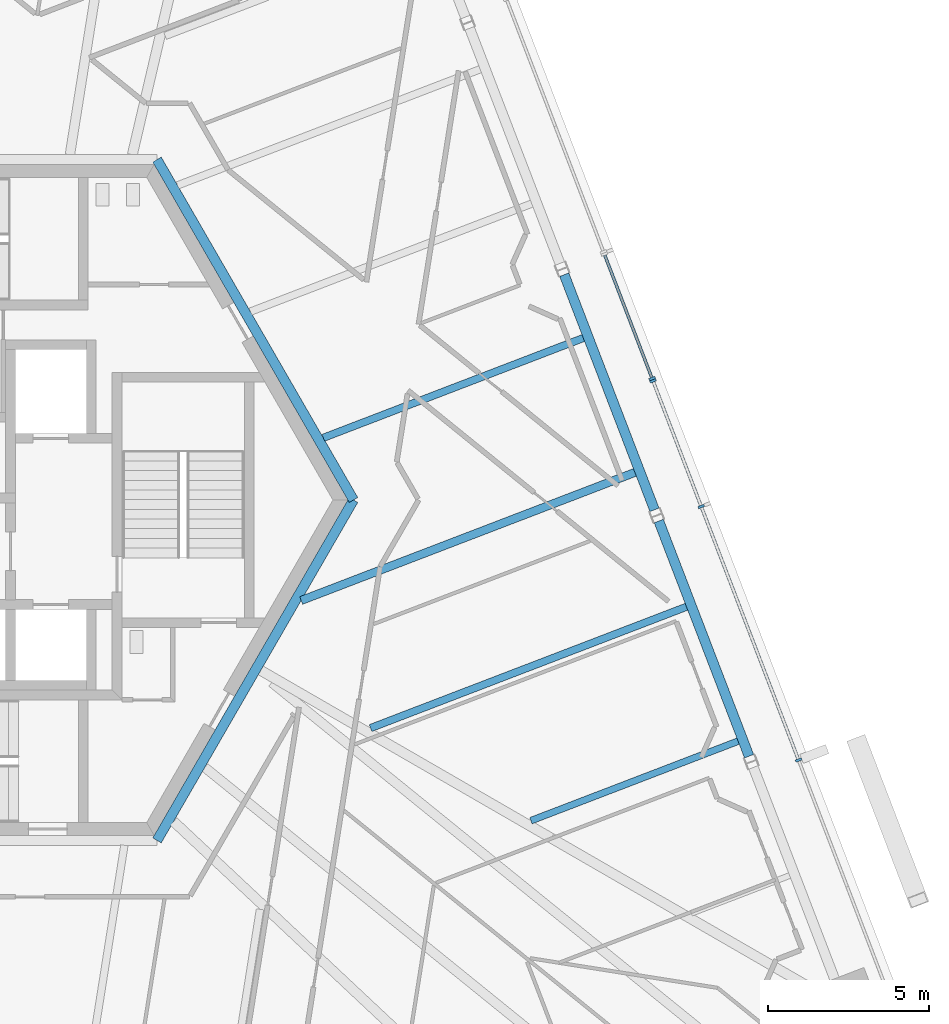
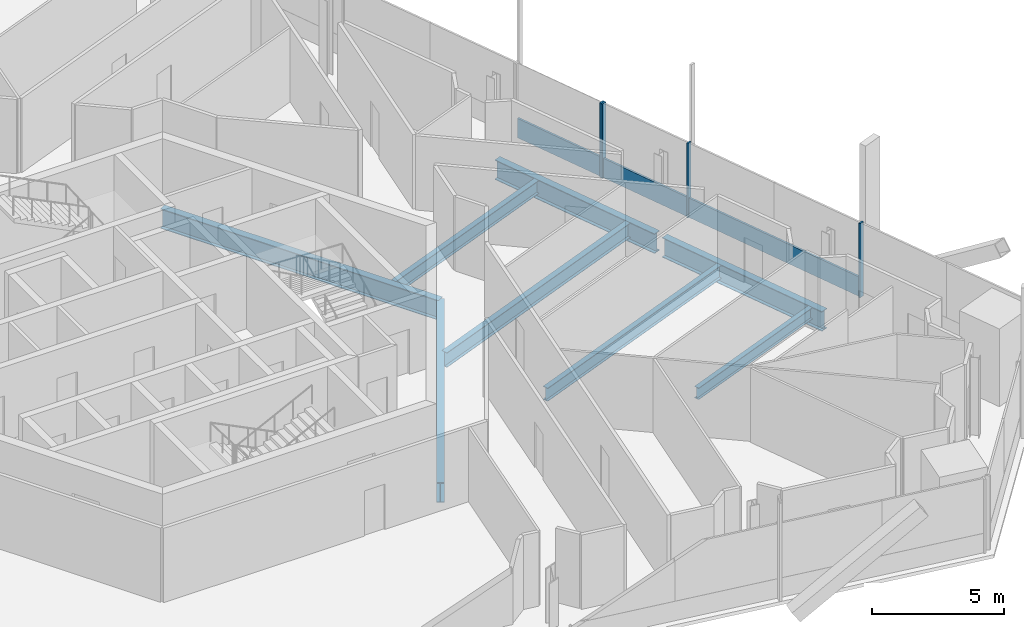
# One storey, part 7 of 23: 8 beams, 7 members, 2 elements without a shape of their own.
"""IFC4 building model written with IfcOpenShell, lengths in metres."""

import ifcopenshell
import ifcopenshell.guid

model = None  # the IFC model being written
_history = None  # IfcOwnerHistory: only IFC2X3 demands one
_inside = {}  # id of a spatial element -> (the spatial element, [elements in it])
_under = {}  # id of a project, library or spatial element -> (it, [spatial elements below it])
_declared = {}  # id of a project -> (the project, [libraries it declares])
_typed = {}  # id of a type object -> (the type object, [elements of that type])
_made_of = {}  # id of a material, layer set ... -> (it, [elements and type objects made of it])


def new_model(schema):
    """Start an empty IFC model of exactly this schema.

    Asked for "IFC4X3", IfcOpenShell would pick the latest addendum, in which some entities
    have other attributes; the version numbers below select the first issue.
    IFC2X3 requires an IfcOwnerHistory on every rooted entity: one is made here for all.
    """
    global model, _history
    if schema == "IFC4X3":
        model = ifcopenshell.file(schema_version=(4, 3, 0, 0))
    else:
        model = ifcopenshell.file(schema=schema)
    _inside.clear()
    _under.clear()
    _declared.clear()
    _typed.clear()
    _made_of.clear()
    _history = None
    if model.schema == "IFC2X3":
        org = make("IfcOrganization", Name="unknown")
        user = make(
            "IfcPersonAndOrganization",
            ThePerson=make("IfcPerson", FamilyName="unknown"),
            TheOrganization=org,
        )
        app = make(
            "IfcApplication",
            ApplicationDeveloper=org,
            Version="unknown",
            ApplicationFullName="unknown",
            ApplicationIdentifier="unknown",
        )
        _history = make(
            "IfcOwnerHistory",
            OwningUser=user,
            OwningApplication=app,
            ChangeAction="ADDED",
            CreationDate=0,
        )
    return model


def make(cls, **values):
    """One entity of the class cls with the attributes given. An attribute that is None is left unset."""
    return model.create_entity(
        cls, **{name: value for name, value in values.items() if value is not None}
    )


def rooted(cls, **values):
    """An entity with a GlobalId (a new one), such as an element, a storey or a relation."""
    return make(cls, GlobalId=ifcopenshell.guid.new(), OwnerHistory=_history, **values)


def si_unit(unit_type, name, prefix=None):
    """IfcSIUnit, for example si_unit("LENGTHUNIT", "METRE", prefix="MILLI")."""
    return make("IfcSIUnit", UnitType=unit_type, Prefix=prefix, Name=name)


def assignment(units):
    """IfcUnitAssignment: the units of a project."""
    return None if units is None else make("IfcUnitAssignment", Units=units)


def point(xyz):
    """IfcCartesianPoint."""
    return None if xyz is None else make("IfcCartesianPoint", Coordinates=xyz)


def direction(xyz):
    """IfcDirection."""
    return None if xyz is None else make("IfcDirection", DirectionRatios=xyz)


def frame(location, z_axis=None, x_axis=None):
    """IfcAxis2Placement3D, a coordinate frame: its origin and axes. An axis left out is left unset."""
    return make(
        "IfcAxis2Placement3D",
        Location=point(location),
        Axis=direction(z_axis),
        RefDirection=direction(x_axis),
    )


def frame_2d(location, x_axis=None):
    """IfcAxis2Placement2D, a coordinate frame in the plane: its origin and x axis."""
    return make(
        "IfcAxis2Placement2D", Location=point(location), RefDirection=direction(x_axis)
    )


def origin():
    """The frame at (0, 0, 0) with its axes left unset."""
    return frame((0.0, 0.0, 0.0))


def origin_2d():
    """The frame at (0, 0) in the plane with its x axis left unset."""
    return frame_2d((0.0, 0.0))


def place(relative_to, where):
    """IfcLocalPlacement: puts the frame where relative to a parent placement (None: the world)."""
    return make(
        "IfcLocalPlacement", PlacementRelTo=relative_to, RelativePlacement=where
    )


def context(
    kind, dimensions, precision=None, world=None, true_north=None, identifier=None
):
    """IfcGeometricRepresentationContext, for example the 3D "Model" context."""
    return make(
        "IfcGeometricRepresentationContext",
        ContextIdentifier=identifier,
        ContextType=kind,
        CoordinateSpaceDimension=dimensions,
        Precision=precision,
        WorldCoordinateSystem=world,
        TrueNorth=true_north,
    )


def subcontext(parent, identifier, kind, view, scale=None):
    """IfcGeometricRepresentationSubContext, for example "Body" below "Model"."""
    return make(
        "IfcGeometricRepresentationSubContext",
        ContextIdentifier=identifier,
        ContextType=kind,
        ParentContext=parent,
        TargetScale=scale,
        TargetView=view,
    )


def project(units=None, contexts=None):
    """IfcProject with its units and contexts."""
    return rooted(
        "IfcProject",
        Name="project",
        RepresentationContexts=contexts,
        UnitsInContext=assignment(units),
    )


def spatial(cls, under=None, at=None, **own):
    """A site, building, storey or space (cls), placed at a placement, below another one or the project."""
    s = rooted(cls, ObjectPlacement=at, **own)
    if under is not None:
        _under.setdefault(under.id(), (under, []))[1].append(s)
    return s


def profile(cls, at=None, kind="AREA", **sizes):
    """A parametric profile (cls). Its sizes go by their IFC names, for example OverallWidth=200.0."""
    return make(cls, ProfileType=kind, Position=at, **sizes)


def rectangle(**sizes):
    """IfcRectangleProfileDef."""
    return profile("IfcRectangleProfileDef", **sizes)


def i_section(**sizes):
    """IfcIShapeProfileDef."""
    return profile("IfcIShapeProfileDef", **sizes)


def extrude(swept, where, along, depth):
    """IfcExtrudedAreaSolid: the profile swept, set in the frame where, extruded along a direction by depth."""
    return make(
        "IfcExtrudedAreaSolid",
        SweptArea=swept,
        Position=where,
        ExtrudedDirection=direction(along),
        Depth=depth,
    )


def shape(context_of_items, identifier, shape_type, items):
    """IfcShapeRepresentation: the items that make up one representation, for example the "Body"."""
    return make(
        "IfcShapeRepresentation",
        ContextOfItems=context_of_items,
        RepresentationIdentifier=identifier,
        RepresentationType=shape_type,
        Items=items,
    )


def source(mapping_origin, context_of_items, identifier, shape_type, items):
    """IfcRepresentationMap: a shape defined once, which mapped items show again and again."""
    return make(
        "IfcRepresentationMap",
        MappingOrigin=mapping_origin,
        MappedRepresentation=shape(context_of_items, identifier, shape_type, items),
    )


def transform(
    local_origin,
    x_axis=None,
    y_axis=None,
    z_axis=None,
    scale=None,
    scale2=None,
    scale3=None,
    uniform=True,
):
    """IfcCartesianTransformationOperator3D, or its non-uniform kind. x_axis, y_axis, z_axis: its Axis1, 2, 3."""
    if uniform:
        return make(
            "IfcCartesianTransformationOperator3D",
            Axis1=direction(x_axis),
            Axis2=direction(y_axis),
            LocalOrigin=point(local_origin),
            Scale=scale,
            Axis3=direction(z_axis),
        )
    return make(
        "IfcCartesianTransformationOperator3DnonUniform",
        Axis1=direction(x_axis),
        Axis2=direction(y_axis),
        LocalOrigin=point(local_origin),
        Scale=scale,
        Axis3=direction(z_axis),
        Scale2=scale2,
        Scale3=scale3,
    )


def mapped(mapping_source, mapping_target):
    """IfcMappedItem: shows the shape of a source again, moved by a transform."""
    return make(
        "IfcMappedItem", MappingSource=mapping_source, MappingTarget=mapping_target
    )


def material(Name=None, Category=None):
    """IfcMaterial."""
    return make("IfcMaterial", Name=Name, Category=Category)


def material_profile(
    of_material, cross_section, Name=None, Category=None, Priority=None
):
    """IfcMaterialProfile: a cross section and its material."""
    return make(
        "IfcMaterialProfile",
        Name=Name,
        Material=of_material,
        Profile=cross_section,
        Priority=Priority,
        Category=Category,
    )


def profile_set(profiles, Name=None, composite=None):
    """IfcMaterialProfileSet."""
    return make(
        "IfcMaterialProfileSet",
        Name=Name,
        MaterialProfiles=profiles,
        CompositeProfile=composite,
    )


def made_of(thing, what):
    """Note that an element or type object is made of a material, layer set ...; save() writes the relation."""
    if what is not None:
        _made_of.setdefault(what.id(), (what, []))[1].append(thing)
    return thing


def type_object(cls, material=None, **own):
    """A type object (cls), such as IfcWallType, which elements share."""
    return made_of(rooted(cls, **own), material)


def element(
    cls,
    number,
    at=None,
    inside=None,
    cuts=None,
    type_object=None,
    material=None,
    context=None,
    identifier="Body",
    shape_type=None,
    held_by="IfcProductDefinitionShape",
    body=None,
    shapes=None,
    **own,
):
    """One element of the class cls, such as IfcWall. Its Tag is "e" and its number.

    at: its placement. inside: the storey or other place that contains it. cuts: it is an
    opening in that element (IfcRelVoidsElement). A single representation is given by context,
    identifier, shape_type and body (its items); several are given by shapes. held_by: the class
    of the entity that holds the representations. save() writes the other relations.
    """
    e = rooted(cls, Tag="e%d" % number, ObjectPlacement=at, **own)
    if body is not None:
        shapes = [shape(context, identifier, shape_type, body)]
    if shapes is not None:
        e.Representation = make(held_by, Representations=shapes)
    if inside is not None:
        _inside.setdefault(inside.id(), (inside, []))[1].append(e)
    if cuts is not None:
        rooted(
            "IfcRelVoidsElement", RelatingBuildingElement=cuts, RelatedOpeningElement=e
        )
    if type_object is not None:
        _typed.setdefault(type_object.id(), (type_object, []))[1].append(e)
    return made_of(e, material)


def aggregate(whole, parts):
    """IfcRelAggregates: a whole, such as a stair, and the parts it consists of."""
    return rooted("IfcRelAggregates", RelatingObject=whole, RelatedObjects=parts)


def save(model, path):
    """Write the relations noted so far, then the file.

    IfcRelAggregates (storeys below a building ...), IfcRelContainedInSpatialStructure (elements
    in a storey), IfcRelDefinesByType, IfcRelAssociatesMaterial and IfcRelDeclares: one each for
    every whole, place, type object, material and project.
    """
    for whole, parts in _under.values():
        aggregate(whole, parts)
    for where, things in _inside.values():
        rooted(
            "IfcRelContainedInSpatialStructure",
            RelatedElements=things,
            RelatingStructure=where,
        )
    for kind, things in _typed.values():
        rooted("IfcRelDefinesByType", RelatedObjects=things, RelatingType=kind)
    for what, things in _made_of.values():
        rooted("IfcRelAssociatesMaterial", RelatedObjects=things, RelatingMaterial=what)
    for by, libraries in _declared.values():
        rooted("IfcRelDeclares", RelatingContext=by, RelatedDefinitions=libraries)
    model.write(path)


model = new_model("IFC4")

# Units and contexts
model_context = context("Model", 3, precision=1e-05, world=origin(), true_north=direction((0.0, 1.0)))
body_context = subcontext(model_context, "Body", "Model", "MODEL_VIEW")
ifc_project = project(units=[si_unit("LENGTHUNIT", "METRE"), si_unit("AREAUNIT", "SQUARE_METRE"), si_unit("VOLUMEUNIT", "CUBIC_METRE"), si_unit("PLANEANGLEUNIT", "RADIAN"), si_unit("MASSUNIT", "GRAM", prefix="KILO")], contexts=[model_context])

# Site, building, storey
site_placement = place(None, origin())
site = spatial("IfcSite", under=ifc_project, at=site_placement, CompositionType="ELEMENT")
building_placement = place(site_placement, origin())
building = spatial("IfcBuilding", under=site, at=building_placement, Name="Triune Harvest Tower", CompositionType="ELEMENT")
storey_placement = place(building_placement, frame((0.0, 0.0, 167.699951171875)))
storey = spatial("IfcBuildingStorey", under=building, at=storey_placement, Name="L43", CompositionType="ELEMENT", Elevation=167.699951171875)

# Beams
ifc_material_1 = material(Name="Steel ASTM A992 Gr 50", Category="steel")
ifc_material_profile_1 = material_profile(ifc_material_1, i_section(OverallWidth=0.3046875, OverallDepth=0.914306640625, WebThickness=0.0166015625, FlangeThickness=0.02587890625, at=origin_2d()), Name="W36x160")
ifc_profile_set_1 = profile_set([ifc_material_profile_1], Name="Steel ASTM A992 Gr 50")
beam_type_1 = type_object("IfcBeamType", Name="CG-1 Core ring girder W36x160", PredefinedType="BEAM", material=ifc_profile_set_1)
shared_shape_1 = source(origin(), body_context, "Body", "SweptSolid", [
    extrude(i_section(OverallWidth=0.3046875, OverallDepth=0.914306640625, WebThickness=0.0166015625, FlangeThickness=0.02587890625, at=origin_2d()), origin(), (0.0, 0.0, 1.0), 12.176025390625),
])
for number, where, z_axis, x_axis, name in (
    (1, (12.176025390625, 0.0, -0.6171875), (-0.5000099932, 0.866019634131, 0.0), (-0.866019634131, -0.5000099932, 0.0), "beam/L43/CG1"),
    (2, (6.087890625, -10.544677734375, -0.6171875), (0.5000099932, 0.866019634131, 0.0), (-0.866019634131, 0.5000099932, 0.0), "beam/L43/CG6"),
):
    element("IfcBeam", number, at=place(storey_placement, frame(where, z_axis=z_axis, x_axis=x_axis)), inside=storey, type_object=beam_type_1, Name=name, PredefinedType="BEAM", context=body_context, shape_type="MappedRepresentation", body=[
        mapped(shared_shape_1, transform((0.0, 0.0, 0.0), scale=1.0)),
    ])
ifc_material_2 = material(Name="Steel ASTM A992 Gr 50", Category="steel")
ifc_material_profile_2 = material_profile(ifc_material_2, i_section(OverallWidth=0.3046875, OverallDepth=0.914306640625, WebThickness=0.0166015625, FlangeThickness=0.02587890625, at=origin_2d()), Name="W36x160")
ifc_profile_set_2 = profile_set([ifc_material_profile_2], Name="Steel ASTM A992 Gr 50")
beam_type_2 = type_object("IfcBeamType", Name="SB-1 Spandrel beam W36x160", PredefinedType="SPANDREL", material=ifc_profile_set_2)
shared_shape_2 = source(origin(), body_context, "Body", "SweptSolid", [
    extrude(i_section(OverallWidth=0.3046875, OverallDepth=0.914306640625, WebThickness=0.0166015625, FlangeThickness=0.02587890625, at=origin_2d()), origin(), (0.0, 0.0, 1.0), 7.8017578125),
])
for number, where, z_axis, x_axis, name in (
    (3, (24.428466796875, -7.93603515625, -0.6171875), (-0.358372974677, 0.933578497514, 0.0), (-0.933578497514, -0.358372974677, 0.0), "beam/L43/SB2"),
    (4, (21.498779296875, -0.303955078125, -0.6171875), (-0.358372974677, 0.933578497514, 0.0), (-0.933578497514, -0.358372974677, 0.0), "beam/L43/SB3"),
):
    element("IfcBeam", number, at=place(storey_placement, frame(where, z_axis=z_axis, x_axis=x_axis)), inside=storey, type_object=beam_type_2, Name=name, PredefinedType="SPANDREL", context=body_context, shape_type="MappedRepresentation", body=[
        mapped(shared_shape_2, transform((0.0, 0.0, 0.0), scale=1.0)),
    ])
ifc_material_3 = material(Name="Steel ASTM A992 Gr 50", Category="steel")
ifc_material_profile_3 = material_profile(ifc_material_3, i_section(OverallWidth=0.2099609375, OverallDepth=0.535888671875, WebThickness=0.010986328125, FlangeThickness=0.017333984375, at=origin_2d()), Name="W21x68")
ifc_profile_set_3 = profile_set([ifc_material_profile_3], Name="Steel ASTM A992 Gr 50")
beam_type_3 = type_object("IfcBeamType", Name="JT-2 Floor joist W21x68", PredefinedType="JOIST", material=ifc_profile_set_3)
shared_shape_3 = source(origin(), body_context, "Body", "SweptSolid", [
    extrude(i_section(OverallWidth=0.2099609375, OverallDepth=0.535888671875, WebThickness=0.010986328125, FlangeThickness=0.017333984375, at=origin_2d()), origin(), (0.0, 0.0, 1.0), 6.871826171875),
])
beam_1_placement = place(storey_placement, frame((24.086669921875, -7.47119140625, -0.427978515625), z_axis=(-0.933577992689, -0.358374289769, 0.0), x_axis=(0.358374289769, -0.933577992689, 0.0)))
element("IfcBeam", 5, at=beam_1_placement, inside=storey, type_object=beam_type_3, Name="beam/L43/JT2", PredefinedType="JOIST", context=body_context, shape_type="MappedRepresentation", body=[
    mapped(shared_shape_3, transform((0.0, 0.0, 0.0), scale=1.0)),
])
ifc_material_4 = material(Name="Steel ASTM A992 Gr 50", Category="steel")
ifc_material_profile_4 = material_profile(ifc_material_4, i_section(OverallWidth=0.22900390625, OverallDepth=0.612060546875, WebThickness=0.011962890625, FlangeThickness=0.01953125, at=origin_2d()), Name="W24x84")
ifc_profile_set_4 = profile_set([ifc_material_profile_4], Name="Steel ASTM A992 Gr 50")
beam_type_4 = type_object("IfcBeamType", Name="JT-3 Floor joist W24x84", PredefinedType="JOIST", material=ifc_profile_set_4)
shared_shape_4 = source(origin(), body_context, "Body", "SweptSolid", [
    extrude(i_section(OverallWidth=0.22900390625, OverallDepth=0.612060546875, WebThickness=0.011962890625, FlangeThickness=0.01953125, at=origin_2d()), origin(), (0.0, 0.0, 1.0), 10.482666015625),
])
beam_2_placement = place(storey_placement, frame((22.48876953125, -3.30810546875, -0.466064453125), z_axis=(-0.933574113636, -0.358384394677, 0.0), x_axis=(0.358384394677, -0.933574113636, 0.0)))
element("IfcBeam", 6, at=beam_2_placement, inside=storey, type_object=beam_type_4, Name="beam/L43/JT3", PredefinedType="JOIST", context=body_context, shape_type="MappedRepresentation", body=[
    mapped(shared_shape_4, transform((0.0, 0.0, 0.0), scale=1.0)),
])
ifc_material_5 = material(Name="Steel ASTM A992 Gr 50", Category="steel")
ifc_material_profile_5 = material_profile(ifc_material_5, i_section(OverallWidth=0.253662109375, OverallDepth=0.683349609375, WebThickness=0.012451171875, FlangeThickness=0.01904296875, at=origin_2d()), Name="W27x94")
ifc_profile_set_5 = profile_set([ifc_material_profile_5], Name="Steel ASTM A992 Gr 50")
beam_type_5 = type_object("IfcBeamType", Name="JT-4 Floor joist W27x94", PredefinedType="JOIST", material=ifc_profile_set_5)
shared_shape_5 = source(origin(), body_context, "Body", "SweptSolid", [
    extrude(i_section(OverallWidth=0.253662109375, OverallDepth=0.683349609375, WebThickness=0.012451171875, FlangeThickness=0.01904296875, at=origin_2d()), origin(), (0.0, 0.0, 1.0), 11.071533203125),
])
beam_3_placement = place(storey_placement, frame((20.890869140625, 0.854736328125, -0.50146484375), z_axis=(-0.933585234032, -0.358355425237, 0.0), x_axis=(0.358355425237, -0.933585234032, 0.0)))
element("IfcBeam", 7, at=beam_3_placement, inside=storey, type_object=beam_type_5, Name="beam/L43/JT4", PredefinedType="JOIST", context=body_context, shape_type="MappedRepresentation", body=[
    mapped(shared_shape_5, transform((0.0, 0.0, 0.0), scale=1.0)),
])
shared_shape_6 = source(origin(), body_context, "Body", "SweptSolid", [
    extrude(i_section(OverallWidth=0.22900390625, OverallDepth=0.612060546875, WebThickness=0.011962890625, FlangeThickness=0.01953125, at=origin_2d()), origin(), (0.0, 0.0, 1.0), 8.625732421875),
])
beam_4_placement = place(storey_placement, frame((19.292724609375, 5.017578125, -0.466064453125), z_axis=(-0.933587577512, -0.35834931996, 0.0), x_axis=(0.35834931996, -0.933587577512, 0.0)))
element("IfcBeam", 8, at=beam_4_placement, inside=storey, type_object=beam_type_4, Name="beam/L43/JT5", PredefinedType="JOIST", context=body_context, shape_type="MappedRepresentation", body=[
    mapped(shared_shape_6, transform((0.0, 0.0, 0.0), scale=1.0)),
])

# Curtain wall, members
ifc_material_6 = material(Name="Aluminium bronze anodised", Category="aluminium")
curtain_wall_type_1 = type_object("IfcCurtainWallType", Name="CW-7 Tower stick curtain wall with insulated spandrel infill", PredefinedType="NOTDEFINED", material=ifc_material_6)
curtain_wall_1_placement = place(storey_placement, origin())
curtain_wall_1 = element("IfcCurtainWall", 9, at=curtain_wall_1_placement, inside=storey, type_object=curtain_wall_type_1, Name="CW-7 B4-F1 L43 run 1")
ifc_material_7 = material(Name="Aluminium bronze anodised", Category="aluminium")
ifc_material_profile_6 = material_profile(ifc_material_7, rectangle(XDim=0.199951171875, YDim=0.074951171875, at=origin_2d()), Name="MU-1 mullion 75 x 200")
ifc_profile_set_6 = profile_set([ifc_material_profile_6], Name="Aluminium bronze anodised")
member_type_1 = type_object("IfcMemberType", Name="MU-1 mullion 75 x 200", PredefinedType="MULLION", material=ifc_profile_set_6)
shared_shape_7 = source(origin(), body_context, "Body", "SweptSolid", [
    extrude(rectangle(XDim=0.199951171875, YDim=0.074951171875, at=origin_2d()), origin(), (0.0, 0.0, 1.0), 3.43994140625),
])
member_1_placement = place(storey_placement, frame((25.9619140625, -8.0556640625, 0.0), z_axis=(0.0, 0.0, 1.0), x_axis=(-0.933579701175, -0.358369839068, 0.0)))
member_1 = element("IfcMember", 10, at=member_1_placement, type_object=member_type_1, Name="CW-7 mullion B4-F1 1.3", PredefinedType="MULLION", context=body_context, shape_type="MappedRepresentation", body=[
    mapped(shared_shape_7, transform((0.0, 0.0, 0.0), scale=1.0)),
])
member_2_placement = place(storey_placement, frame((22.947265625, -0.2021484375, 0.0), z_axis=(0.0, 0.0, 1.0), x_axis=(-0.933579701175, -0.358369839068, 0.0)))
member_2 = element("IfcMember", 11, at=member_2_placement, type_object=member_type_1, Name="CW-7 mullion B4-F1 1.5", PredefinedType="MULLION", context=body_context, shape_type="MappedRepresentation", body=[
    mapped(shared_shape_7, transform((0.0, 0.0, 0.0), scale=1.0)),
])
member_3_placement = place(storey_placement, frame((21.453369140625, 3.689697265625, 0.0), z_axis=(0.0, 0.0, 1.0), x_axis=(-0.933579701175, -0.358369839068, 0.0)))
member_3 = element("IfcMember", 12, at=member_3_placement, type_object=member_type_1, Name="CW-7 mullion B4-F1 1.6", PredefinedType="MULLION", context=body_context, shape_type="MappedRepresentation", body=[
    mapped(shared_shape_7, transform((0.0, 0.0, 0.0), scale=1.0)),
])

ifc_material_8 = material(Name="Aluminium bronze anodised", Category="aluminium")
curtain_wall_type_2 = type_object("IfcCurtainWallType", Name="CW-1 Tower stick curtain wall", PredefinedType="NOTDEFINED", material=ifc_material_8)
curtain_wall_2_placement = place(storey_placement, origin())
curtain_wall_2 = element("IfcCurtainWall", 13, at=curtain_wall_2_placement, inside=storey, type_object=curtain_wall_type_2, Name="CW-1 B4-F1 L43 run 1001")
member_4_placement = place(storey_placement, frame((21.426513671875, 3.759521484375, 0.0), z_axis=(0.0, 0.0, 1.0), x_axis=(-0.933577029471, -0.358376798976, 0.0)))
member_4 = element("IfcMember", 14, at=member_4_placement, type_object=member_type_1, Name="CW-1 mullion B4-F1 1001.1", PredefinedType="MULLION", context=body_context, shape_type="MappedRepresentation", body=[
    mapped(shared_shape_7, transform((0.0, 0.0, 0.0), scale=1.0)),
])
ifc_material_9 = material(Name="Aluminium bronze anodised", Category="aluminium")
ifc_material_profile_7 = material_profile(ifc_material_9, rectangle(XDim=0.090087890625, YDim=0.89990234375, at=origin_2d()), Name="TR-1 transom 90 x 900")
ifc_profile_set_7 = profile_set([ifc_material_profile_7], Name="Aluminium bronze anodised")
member_type_2 = type_object("IfcMemberType", Name="TR-1 transom 90 x 900", PredefinedType="USERDEFINED", material=ifc_profile_set_7)
shared_shape_8 = source(origin(), body_context, "Body", "SweptSolid", [
    extrude(rectangle(XDim=0.090087890625, YDim=0.89990234375, at=origin_2d()), origin(), (0.0, 0.0, 1.0), 4.05615234375),
])
member_5_placement = place(storey_placement, frame((21.4130859375, 3.794677734375, 0.449951171875), z_axis=(-0.358382052033, 0.933575012937, 0.0), x_axis=(-0.933575012937, -0.358382052033, 0.0)))
member_5 = element("IfcMember", 15, at=member_5_placement, type_object=member_type_2, Name="CW-1 transom B4-F1 1001.1", ObjectType="TRANSOM", PredefinedType="USERDEFINED", context=body_context, shape_type="MappedRepresentation", body=[
    mapped(shared_shape_8, transform((0.0, 0.0, 0.0), scale=1.0)),
])
aggregate(curtain_wall_2, [member_4, member_5])

# Member
shared_shape_9 = source(origin(), body_context, "Body", "SweptSolid", [
    extrude(rectangle(XDim=0.090087890625, YDim=0.89990234375, at=origin_2d()), origin(), (0.0, 0.0, 1.0), 8.33740234375),
])
member_6_placement = place(storey_placement, frame((25.948486328125, -8.020751953125, 0.449951171875), z_axis=(-0.358358936123, 0.933583886376, 0.0), x_axis=(-0.933583886376, -0.358358936123, 0.0)))
member_6 = element("IfcMember", 16, at=member_6_placement, type_object=member_type_2, Name="CW-7 transom B4-F1 1.2", ObjectType="TRANSOM", PredefinedType="USERDEFINED", context=body_context, shape_type="MappedRepresentation", body=[
    mapped(shared_shape_9, transform((0.0, 0.0, 0.0), scale=1.0)),
])

shared_shape_10 = source(origin(), body_context, "Body", "SweptSolid", [
    extrude(rectangle(XDim=0.090087890625, YDim=0.89990234375, at=origin_2d()), origin(), (0.0, 0.0, 1.0), 4.09375),
])
member_7_placement = place(storey_placement, frame((22.933837890625, -0.167236328125, 0.449951171875), z_axis=(-0.358367554272, 0.933580578228, 0.0), x_axis=(-0.933580578228, -0.358367554272, 0.0)))
member_7 = element("IfcMember", 17, at=member_7_placement, type_object=member_type_2, Name="CW-7 transom B4-F1 1.3", ObjectType="TRANSOM", PredefinedType="USERDEFINED", context=body_context, shape_type="MappedRepresentation", body=[
    mapped(shared_shape_10, transform((0.0, 0.0, 0.0), scale=1.0)),
])

aggregate(curtain_wall_1, [member_1, member_2, member_3, member_6, member_7])

save(model, "model.ifc")
